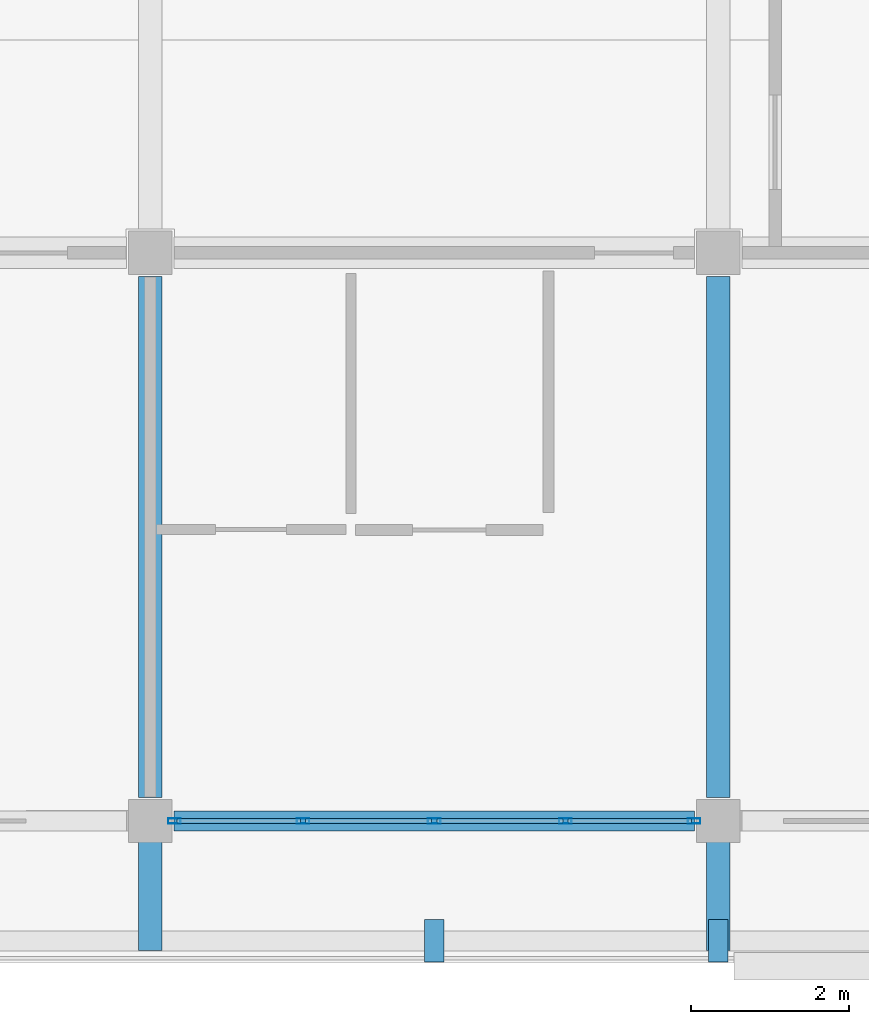
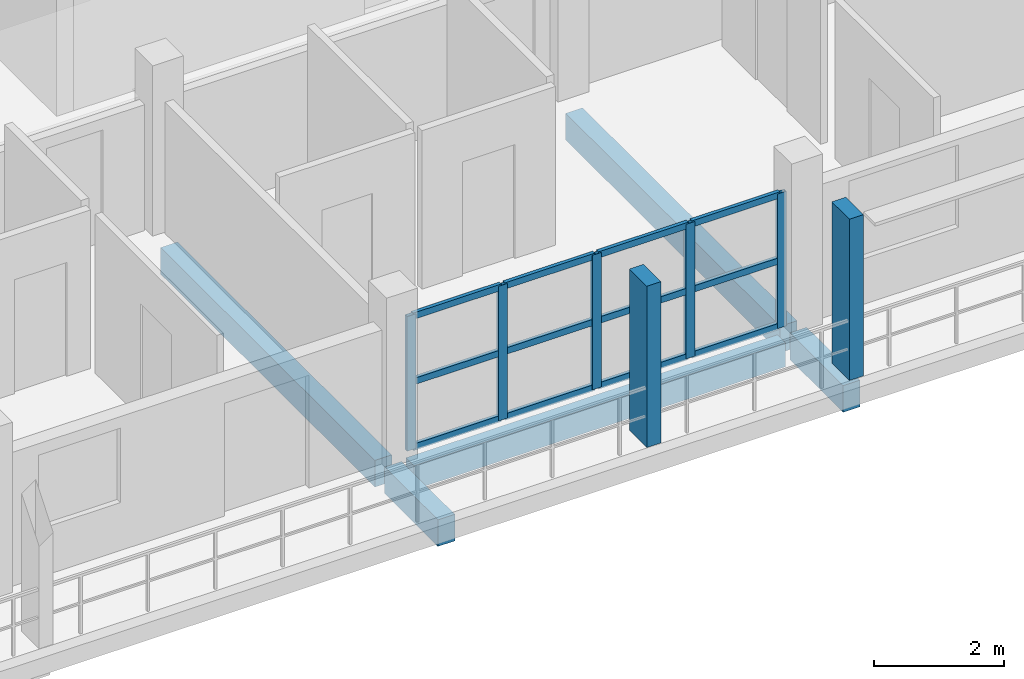
# One storey, part 4 of 73: 19 members, 5 beams, 1 element without a shape of its own.
"""IFC4 building model written with IfcOpenShell, lengths in metres."""

from ifc_helpers import new_model, si_unit, direction, frame, origin, origin_2d, place, context, subcontext, project, spatial, rectangle, hollow_rectangle, extrude, material, material_profile, profile_set, type_object, element, aggregate, save


model = new_model("IFC4")

# Units and contexts
model_context = context("Model", 3, precision=1e-05, world=origin(), true_north=direction((0.0, 1.0)))
body_context = subcontext(model_context, "Body", "Model", "MODEL_VIEW")
ifc_project = project(units=[si_unit("LENGTHUNIT", "METRE"), si_unit("AREAUNIT", "SQUARE_METRE"), si_unit("VOLUMEUNIT", "CUBIC_METRE"), si_unit("PLANEANGLEUNIT", "RADIAN"), si_unit("MASSUNIT", "GRAM", prefix="KILO")], contexts=[model_context])

# Site, building, storey
site_placement = place(None, origin())
site = spatial("IfcSite", under=ifc_project, at=site_placement, CompositionType="ELEMENT")
building_placement = place(site_placement, origin())
building = spatial("IfcBuilding", under=site, at=building_placement, Name="Suanplinth Sawtooth Commons", CompositionType="ELEMENT")
storey_placement = place(building_placement, frame((0.0, 0.0, 21.89990234375)))
storey = spatial("IfcBuildingStorey", under=building, at=storey_placement, Name="L06", CompositionType="ELEMENT", Elevation=21.89990234375)

# Beams
ifc_material_1 = material(Name="Precast concrete C40/50", Category="concrete")
ifc_material_profile_1 = material_profile(ifc_material_1, rectangle(XDim=0.300048828125, YDim=0.5, at=origin_2d()), Name="PC-BM 300x500")
ifc_profile_set_1 = profile_set([ifc_material_profile_1], Name="Precast concrete C40/50")
beam_type_1 = type_object("IfcBeamType", Name="B-07", PredefinedType="BEAM", material=ifc_profile_set_1)
for number, where, z_axis, x_axis, name in (
    (1, (14.39990234375, 0.300048828125, -0.489990234375), (0.0, 1.0, 0.0), (-1.0, 0.0, 0.0), "BMY-L06-D-2-0"),
    (2, (21.60009765625, 0.300048828125, -0.489990234375), (0.0, 1.0, 0.0), (-1.0, 0.0, 0.0), "BMY-L06-D-3-0"),
):
    element("IfcBeam", number, at=place(storey_placement, frame(where, z_axis=z_axis, x_axis=x_axis)), inside=storey, type_object=beam_type_1, Name=name, PredefinedType="BEAM", context=body_context, shape_type="SweptSolid", body=[
        extrude(rectangle(XDim=0.300048828125, YDim=0.5, at=origin_2d()), origin(), (0.0, 0.0, 1.0), 6.599853515625),
    ])
for number, where, z_axis, x_axis, name in (
    (3, (14.39990234375, 0.0, -0.429931640625), (0.0, -1.0, 0.0), (1.0, 0.0, 0.0), "Balcony Outrigger L06-D-S-2"),
    (4, (21.60009765625, 0.0, -0.429931640625), (0.0, -1.0, 0.0), (1.0, 0.0, 0.0), "Balcony Outrigger L06-D-S-3"),
):
    element("IfcBeam", number, at=place(storey_placement, frame(where, z_axis=z_axis, x_axis=x_axis)), inside=storey, type_object=beam_type_1, Name=name, PredefinedType="BEAM", context=body_context, shape_type="SweptSolid", body=[
        extrude(rectangle(XDim=0.300048828125, YDim=0.5, at=origin_2d()), origin(), (0.0, 0.0, 1.0), 1.639892578125),
    ])
ifc_material_profile_2 = material_profile(ifc_material_1, rectangle(XDim=0.25, YDim=0.449951171875, at=origin_2d()), Name="PC-SP 250x450")
ifc_profile_set_2 = profile_set([ifc_material_profile_2], Name="Precast concrete C40/50")
beam_type_2 = type_object("IfcBeamType", Name="B-09", PredefinedType="SPANDREL", material=ifc_profile_set_2)
beam_placement = place(storey_placement, frame((14.699951171875, 0.0, -0.46484375), z_axis=(1.0, 0.0, 0.0), x_axis=(0.0, 1.0, 0.0)))
element("IfcBeam", 5, at=beam_placement, inside=storey, type_object=beam_type_2, Name="BMX-L06-D-2-0", PredefinedType="SPANDREL", context=body_context, shape_type="SweptSolid", body=[
    extrude(rectangle(XDim=0.25, YDim=0.449951171875, at=origin_2d()), origin(), (0.0, 0.0, 1.0), 6.60009765625),
])

# Members
ifc_material_2 = material(Name="Pigmented precast concrete C40/50", Category="concrete")
ifc_material_profile_3 = material_profile(ifc_material_2, rectangle(XDim=0.25, YDim=0.5400390625, at=origin_2d()), Name="PC-FIN 250x540")
ifc_profile_set_3 = profile_set([ifc_material_profile_3], Name="Pigmented precast concrete C40/50")
member_type_1 = type_object("IfcMemberType", Name="M-11", PredefinedType="USERDEFINED", material=ifc_profile_set_3)
for number, where, z_axis, x_axis, name in (
    (6, (18.0, -1.52001953125, 0.0), (0.0, 0.0, 1.0), (1.0, 0.0, 0.0), "Upright Solar Blade L06-D-S-03"),
    (7, (21.60009765625, -1.52001953125, 0.0), (0.0, 0.0, 1.0), (1.0, 0.0, 0.0), "Upright Solar Blade L06-D-S-04"),
):
    element("IfcMember", number, at=place(storey_placement, frame(where, z_axis=z_axis, x_axis=x_axis)), inside=storey, type_object=member_type_1, Name=name, ObjectType="SHADING FIN", PredefinedType="USERDEFINED", context=body_context, shape_type="SweptSolid", body=[
        extrude(rectangle(XDim=0.25, YDim=0.5400390625, at=origin_2d()), origin(), (0.0, 0.0, 1.0), 3.030029296875),
    ])

# Curtain wall, members
ifc_material_3 = material(Name="Anodized aluminium and low-E glazing", Category="aluminium")
curtain_wall_type = type_object("IfcCurtainWallType", Name="CW-06", PredefinedType="USERDEFINED", material=ifc_material_3)
curtain_wall_placement = place(storey_placement, origin())
curtain_wall = element("IfcCurtainWall", 8, at=curtain_wall_placement, inside=storey, type_object=curtain_wall_type, Name="Curtain Wall CW-L06-D-LOUNGE-2", ObjectType="CURTAIN WALL", PredefinedType="USERDEFINED")
ifc_material_4 = material(Name="Anodized aluminium 6063-T6", Category="aluminium")
ifc_material_profile_4 = material_profile(ifc_material_4, hollow_rectangle(XDim=0.06494140625, YDim=0.159912109375, WallThickness=0.00390625, at=origin_2d()), Name="ALU-MUL 65x160")
ifc_profile_set_4 = profile_set([ifc_material_profile_4], Name="Anodized aluminium 6063-T6")
member_type_2 = type_object("IfcMemberType", Name="M-13", PredefinedType="MULLION", material=ifc_profile_set_4)
member_1_placement = place(storey_placement, frame((14.70751953125, 0.0, 0.0), z_axis=(0.0, 0.0, 1.0), x_axis=(0.0, 1.0, 0.0)))
member_1 = element("IfcMember", 9, at=member_1_placement, type_object=member_type_2, Name="CW-06 mullion 1", PredefinedType="MULLION", context=body_context, shape_type="SweptSolid", body=[
    extrude(hollow_rectangle(XDim=0.06494140625, YDim=0.159912109375, WallThickness=0.00390625, at=origin_2d()), origin(), (0.0, 0.0, 1.0), 2.530029296875),
])
member_2_placement = place(storey_placement, frame((16.33740234375, 0.0, 0.0), z_axis=(0.0, 0.0, 1.0), x_axis=(0.0, 1.0, 0.0)))
member_2 = element("IfcMember", 10, at=member_2_placement, type_object=member_type_2, Name="CW-06 mullion 2", PredefinedType="MULLION", context=body_context, shape_type="SweptSolid", body=[
    extrude(hollow_rectangle(XDim=0.06494140625, YDim=0.159912109375, WallThickness=0.00390625, at=origin_2d()), origin(), (0.0, 0.0, 1.0), 2.530029296875),
])
member_3_placement = place(storey_placement, frame((18.0, 0.0, 0.0), z_axis=(0.0, 0.0, 1.0), x_axis=(0.0, 1.0, 0.0)))
member_3 = element("IfcMember", 11, at=member_3_placement, type_object=member_type_2, Name="CW-06 mullion 3", PredefinedType="MULLION", context=body_context, shape_type="SweptSolid", body=[
    extrude(hollow_rectangle(XDim=0.06494140625, YDim=0.159912109375, WallThickness=0.00390625, at=origin_2d()), origin(), (0.0, 0.0, 1.0), 2.530029296875),
])
member_4_placement = place(storey_placement, frame((19.66259765625, 0.0, 0.0), z_axis=(0.0, 0.0, 1.0), x_axis=(0.0, 1.0, 0.0)))
member_4 = element("IfcMember", 12, at=member_4_placement, type_object=member_type_2, Name="CW-06 mullion 4", PredefinedType="MULLION", context=body_context, shape_type="SweptSolid", body=[
    extrude(hollow_rectangle(XDim=0.06494140625, YDim=0.159912109375, WallThickness=0.00390625, at=origin_2d()), origin(), (0.0, 0.0, 1.0), 2.530029296875),
])
member_5_placement = place(storey_placement, frame((21.29248046875, 0.0, 0.0), z_axis=(0.0, 0.0, 1.0), x_axis=(0.0, 1.0, 0.0)))
member_5 = element("IfcMember", 13, at=member_5_placement, type_object=member_type_2, Name="CW-06 mullion 5", PredefinedType="MULLION", context=body_context, shape_type="SweptSolid", body=[
    extrude(hollow_rectangle(XDim=0.06494140625, YDim=0.159912109375, WallThickness=0.00390625, at=origin_2d()), origin(), (0.0, 0.0, 1.0), 2.530029296875),
])
ifc_material_profile_5 = material_profile(ifc_material_4, hollow_rectangle(XDim=0.06494140625, YDim=0.1201171875, WallThickness=0.00390625, at=origin_2d()), Name="ALU-TRN 65x120")
ifc_profile_set_5 = profile_set([ifc_material_profile_5], Name="Anodized aluminium 6063-T6")
member_type_3 = type_object("IfcMemberType", Name="M-15", PredefinedType="USERDEFINED", material=ifc_profile_set_5)
member_6_placement = place(storey_placement, frame((14.739990234375, 0.0, 0.03271484375), z_axis=(1.0, 0.0, 0.0), x_axis=(0.0, 1.0, 0.0)))
member_6 = element("IfcMember", 14, at=member_6_placement, type_object=member_type_3, Name="CW-06 transom 1.1", ObjectType="TRANSOM", PredefinedType="USERDEFINED", context=body_context, shape_type="SweptSolid", body=[
    extrude(hollow_rectangle(XDim=0.06494140625, YDim=0.1201171875, WallThickness=0.00390625, at=origin_2d()), origin(), (0.0, 0.0, 1.0), 1.56494140625),
])
member_7_placement = place(storey_placement, frame((14.739990234375, 0.0, 1.26513671875), z_axis=(1.0, 0.0, 0.0), x_axis=(0.0, 1.0, 0.0)))
member_7 = element("IfcMember", 15, at=member_7_placement, type_object=member_type_3, Name="CW-06 transom 1.2", ObjectType="TRANSOM", PredefinedType="USERDEFINED", context=body_context, shape_type="SweptSolid", body=[
    extrude(hollow_rectangle(XDim=0.06494140625, YDim=0.1201171875, WallThickness=0.00390625, at=origin_2d()), origin(), (0.0, 0.0, 1.0), 1.56494140625),
])
member_8_placement = place(storey_placement, frame((14.739990234375, 0.0, 2.49755859375), z_axis=(1.0, 0.0, 0.0), x_axis=(0.0, 1.0, 0.0)))
member_8 = element("IfcMember", 16, at=member_8_placement, type_object=member_type_3, Name="CW-06 transom 1.3", ObjectType="TRANSOM", PredefinedType="USERDEFINED", context=body_context, shape_type="SweptSolid", body=[
    extrude(hollow_rectangle(XDim=0.06494140625, YDim=0.1201171875, WallThickness=0.00390625, at=origin_2d()), origin(), (0.0, 0.0, 1.0), 1.56494140625),
])
member_9_placement = place(storey_placement, frame((16.3701171875, 0.0, 0.03271484375), z_axis=(1.0, 0.0, 0.0), x_axis=(0.0, 1.0, 0.0)))
member_9 = element("IfcMember", 17, at=member_9_placement, type_object=member_type_3, Name="CW-06 transom 2.1", ObjectType="TRANSOM", PredefinedType="USERDEFINED", context=body_context, shape_type="SweptSolid", body=[
    extrude(hollow_rectangle(XDim=0.06494140625, YDim=0.1201171875, WallThickness=0.00390625, at=origin_2d()), origin(), (0.0, 0.0, 1.0), 1.597412109375),
])
member_10_placement = place(storey_placement, frame((16.3701171875, 0.0, 1.26513671875), z_axis=(1.0, 0.0, 0.0), x_axis=(0.0, 1.0, 0.0)))
member_10 = element("IfcMember", 18, at=member_10_placement, type_object=member_type_3, Name="CW-06 transom 2.2", ObjectType="TRANSOM", PredefinedType="USERDEFINED", context=body_context, shape_type="SweptSolid", body=[
    extrude(hollow_rectangle(XDim=0.06494140625, YDim=0.1201171875, WallThickness=0.00390625, at=origin_2d()), origin(), (0.0, 0.0, 1.0), 1.597412109375),
])
member_11_placement = place(storey_placement, frame((16.3701171875, 0.0, 2.49755859375), z_axis=(1.0, 0.0, 0.0), x_axis=(0.0, 1.0, 0.0)))
member_11 = element("IfcMember", 19, at=member_11_placement, type_object=member_type_3, Name="CW-06 transom 2.3", ObjectType="TRANSOM", PredefinedType="USERDEFINED", context=body_context, shape_type="SweptSolid", body=[
    extrude(hollow_rectangle(XDim=0.06494140625, YDim=0.1201171875, WallThickness=0.00390625, at=origin_2d()), origin(), (0.0, 0.0, 1.0), 1.597412109375),
])
member_12_placement = place(storey_placement, frame((18.032470703125, 0.0, 0.03271484375), z_axis=(1.0, 0.0, 0.0), x_axis=(0.0, 1.0, 0.0)))
member_12 = element("IfcMember", 20, at=member_12_placement, type_object=member_type_3, Name="CW-06 transom 3.1", ObjectType="TRANSOM", PredefinedType="USERDEFINED", context=body_context, shape_type="SweptSolid", body=[
    extrude(hollow_rectangle(XDim=0.06494140625, YDim=0.1201171875, WallThickness=0.00390625, at=origin_2d()), origin(), (0.0, 0.0, 1.0), 1.597412109375),
])
member_13_placement = place(storey_placement, frame((18.032470703125, 0.0, 1.26513671875), z_axis=(1.0, 0.0, 0.0), x_axis=(0.0, 1.0, 0.0)))
member_13 = element("IfcMember", 21, at=member_13_placement, type_object=member_type_3, Name="CW-06 transom 3.2", ObjectType="TRANSOM", PredefinedType="USERDEFINED", context=body_context, shape_type="SweptSolid", body=[
    extrude(hollow_rectangle(XDim=0.06494140625, YDim=0.1201171875, WallThickness=0.00390625, at=origin_2d()), origin(), (0.0, 0.0, 1.0), 1.597412109375),
])
member_14_placement = place(storey_placement, frame((18.032470703125, 0.0, 2.49755859375), z_axis=(1.0, 0.0, 0.0), x_axis=(0.0, 1.0, 0.0)))
member_14 = element("IfcMember", 22, at=member_14_placement, type_object=member_type_3, Name="CW-06 transom 3.3", ObjectType="TRANSOM", PredefinedType="USERDEFINED", context=body_context, shape_type="SweptSolid", body=[
    extrude(hollow_rectangle(XDim=0.06494140625, YDim=0.1201171875, WallThickness=0.00390625, at=origin_2d()), origin(), (0.0, 0.0, 1.0), 1.597412109375),
])
member_15_placement = place(storey_placement, frame((19.695068359375, 0.0, 0.03271484375), z_axis=(1.0, 0.0, 0.0), x_axis=(0.0, 1.0, 0.0)))
member_15 = element("IfcMember", 23, at=member_15_placement, type_object=member_type_3, Name="CW-06 transom 4.1", ObjectType="TRANSOM", PredefinedType="USERDEFINED", context=body_context, shape_type="SweptSolid", body=[
    extrude(hollow_rectangle(XDim=0.06494140625, YDim=0.1201171875, WallThickness=0.00390625, at=origin_2d()), origin(), (0.0, 0.0, 1.0), 1.56494140625),
])
member_16_placement = place(storey_placement, frame((19.695068359375, 0.0, 1.26513671875), z_axis=(1.0, 0.0, 0.0), x_axis=(0.0, 1.0, 0.0)))
member_16 = element("IfcMember", 24, at=member_16_placement, type_object=member_type_3, Name="CW-06 transom 4.2", ObjectType="TRANSOM", PredefinedType="USERDEFINED", context=body_context, shape_type="SweptSolid", body=[
    extrude(hollow_rectangle(XDim=0.06494140625, YDim=0.1201171875, WallThickness=0.00390625, at=origin_2d()), origin(), (0.0, 0.0, 1.0), 1.56494140625),
])
member_17_placement = place(storey_placement, frame((19.695068359375, 0.0, 2.49755859375), z_axis=(1.0, 0.0, 0.0), x_axis=(0.0, 1.0, 0.0)))
member_17 = element("IfcMember", 25, at=member_17_placement, type_object=member_type_3, Name="CW-06 transom 4.3", ObjectType="TRANSOM", PredefinedType="USERDEFINED", context=body_context, shape_type="SweptSolid", body=[
    extrude(hollow_rectangle(XDim=0.06494140625, YDim=0.1201171875, WallThickness=0.00390625, at=origin_2d()), origin(), (0.0, 0.0, 1.0), 1.56494140625),
])
aggregate(curtain_wall, [member_1, member_2, member_3, member_4, member_5, member_6, member_7, member_8, member_9, member_10, member_11, member_12, member_13, member_14, member_15, member_16, member_17])

save(model, "model.ifc")
